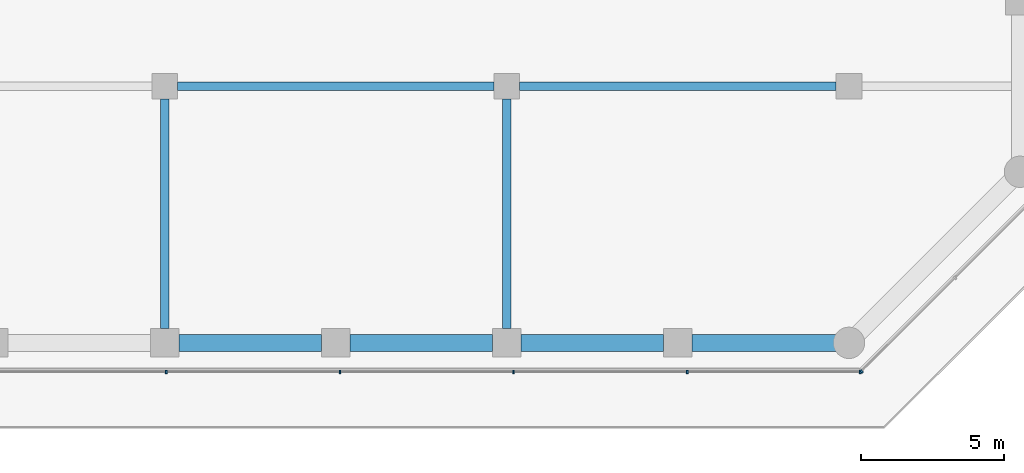
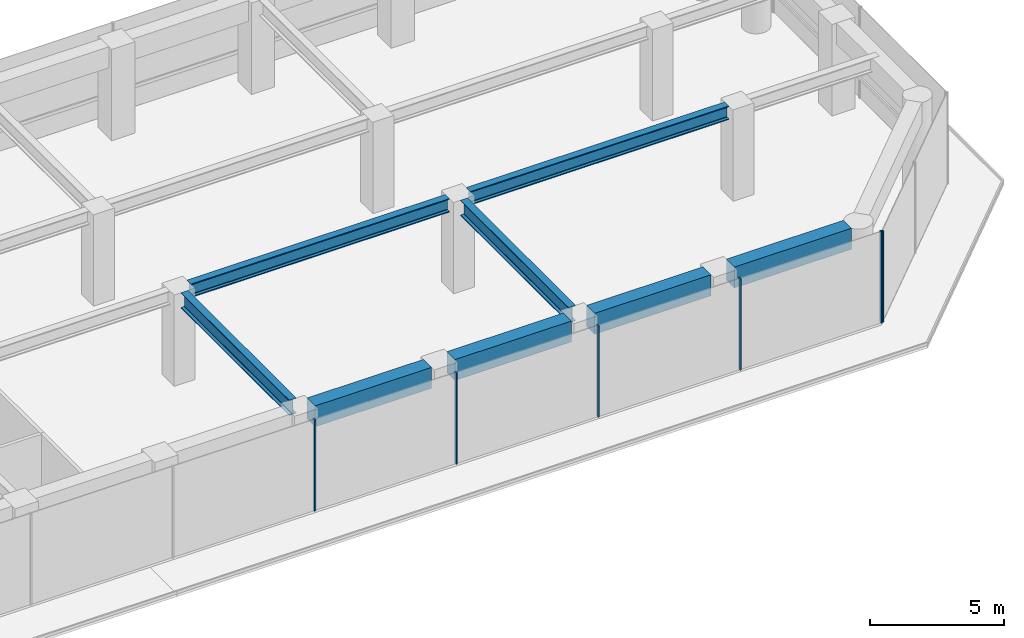
# One storey, part 7 of 24: 8 beams, 6 members, 2 elements without a shape of their own.
"""IFC4 building model written with IfcOpenShell, lengths in metres."""

from ifc_helpers import new_model, si_unit, direction, frame, origin, origin_2d, place, context, subcontext, project, spatial, rectangle, i_section, extrude, material, layer, layer_set, material_profile, profile_set, type_object, element, aggregate, save


model = new_model("IFC4")

# Units and contexts
model_context = context("Model", 3, precision=1e-05, world=origin(), true_north=direction((0.0, 1.0)))
body_context = subcontext(model_context, "Body", "Model", "MODEL_VIEW")
ifc_project = project(units=[si_unit("LENGTHUNIT", "METRE"), si_unit("AREAUNIT", "SQUARE_METRE"), si_unit("VOLUMEUNIT", "CUBIC_METRE"), si_unit("PLANEANGLEUNIT", "RADIAN"), si_unit("MASSUNIT", "GRAM", prefix="KILO")], contexts=[model_context])

# Site, building, storey
site_placement = place(None, origin())
site = spatial("IfcSite", under=ifc_project, at=site_placement, CompositionType="ELEMENT")
building_placement = place(site_placement, origin())
building = spatial("IfcBuilding", under=site, at=building_placement, Name="Welwitschia Terrace Campus", CompositionType="ELEMENT")
storey_placement = place(building_placement, frame((0.0, 0.0, 15.5)))
storey = spatial("IfcBuildingStorey", under=building, at=storey_placement, Name="L03", CompositionType="ELEMENT", Elevation=15.5)

# Beams
ifc_material_1 = material(Name="Steel S355", Category="steel")
ifc_material_profile_1 = material_profile(ifc_material_1, i_section(OverallWidth=0.304931640625, OverallDepth=0.6201171875, WebThickness=0.02099609375, FlangeThickness=0.0400390625, FilletRadius=0.027099609375, at=origin_2d()))
ifc_profile_set_1 = profile_set([ifc_material_profile_1], Name="Steel S355")
beam_type_1 = type_object("IfcBeamType", Name="Interior girder HE 600 M", PredefinedType="BEAM", material=ifc_profile_set_1)
for number, where, z_axis, x_axis, name in (
    (1, (36.450439453125, 5.0, 3.840087890625), (1.0, 0.0, 0.0), (0.0, 1.0, 0.0), "Girder GB1"),
    (2, (48.450439453125, 5.0, 3.840087890625), (1.0, 0.0, 0.0), (0.0, 1.0, 0.0), "Girder GB1"),
):
    element("IfcBeam", number, at=place(storey_placement, frame(where, z_axis=z_axis, x_axis=x_axis)), inside=storey, type_object=beam_type_1, Name=name, PredefinedType="BEAM", context=body_context, shape_type="SweptSolid", body=[
        extrude(i_section(OverallWidth=0.304931640625, OverallDepth=0.6201171875, WebThickness=0.02099609375, FlangeThickness=0.0400390625, FilletRadius=0.027099609375, at=origin_2d()), origin(), (0.0, 0.0, 1.0), 11.09912109375),
    ])

# Curtain wall, members
ifc_material_2 = material(Name="Bronze anodised aluminium", Category="aluminium")
ifc_layer = layer(ifc_material_2, 0.1201171875)
ifc_layer_set = layer_set([ifc_layer], Name="Bronze anodised aluminium")
curtain_wall_type = type_object("IfcCurtainWallType", Name="Curtain wall CW2 tower 6000", PredefinedType="NOTDEFINED", material=ifc_layer_set)
curtain_wall_1_placement = place(storey_placement, origin())
curtain_wall_1 = element("IfcCurtainWall", 3, at=curtain_wall_1_placement, inside=storey, type_object=curtain_wall_type, Name="CW L03.1.0", PredefinedType="NOTDEFINED")
ifc_material_3 = material(Name="Bronze anodised aluminium", Category="aluminium")
ifc_material_profile_2 = material_profile(ifc_material_3, rectangle(XDim=0.1201171875, YDim=0.06005859375, at=origin_2d()))
ifc_profile_set_2 = profile_set([ifc_material_profile_2], Name="Bronze anodised aluminium")
member_type = type_object("IfcMemberType", Name="Mullion 60x120", PredefinedType="MULLION", material=ifc_profile_set_2)
member_1_placement = place(storey_placement, frame((36.046875, -5.02001953125, 0.0), z_axis=(0.0, 0.0, 1.0), x_axis=(0.0, 1.0, 0.0)))
member_1 = element("IfcMember", 4, at=member_1_placement, type_object=member_type, Name="Mullion L03.1.0.5", PredefinedType="MULLION", context=body_context, shape_type="SweptSolid", body=[
    extrude(rectangle(XDim=0.1201171875, YDim=0.06005859375, at=origin_2d()), origin(), (0.0, 0.0, 1.0), 4.14990234375),
])
member_2_placement = place(storey_placement, frame((42.140869140625, -5.02001953125, 0.0), z_axis=(0.0, 0.0, 1.0), x_axis=(0.0, 1.0, 0.0)))
member_2 = element("IfcMember", 5, at=member_2_placement, type_object=member_type, Name="Mullion L03.1.0.6", PredefinedType="MULLION", context=body_context, shape_type="SweptSolid", body=[
    extrude(rectangle(XDim=0.1201171875, YDim=0.06005859375, at=origin_2d()), origin(), (0.0, 0.0, 1.0), 4.14990234375),
])
member_3_placement = place(storey_placement, frame((48.234619140625, -5.02001953125, 0.0), z_axis=(0.0, 0.0, 1.0), x_axis=(0.0, 1.0, 0.0)))
member_3 = element("IfcMember", 6, at=member_3_placement, type_object=member_type, Name="Mullion L03.1.0.7", PredefinedType="MULLION", context=body_context, shape_type="SweptSolid", body=[
    extrude(rectangle(XDim=0.1201171875, YDim=0.06005859375, at=origin_2d()), origin(), (0.0, 0.0, 1.0), 4.14990234375),
])
member_4_placement = place(storey_placement, frame((54.32861328125, -5.02001953125, 0.0), z_axis=(0.0, 0.0, 1.0), x_axis=(0.0, 1.0, 0.0)))
member_4 = element("IfcMember", 7, at=member_4_placement, type_object=member_type, Name="Mullion L03.1.0.8", PredefinedType="MULLION", context=body_context, shape_type="SweptSolid", body=[
    extrude(rectangle(XDim=0.1201171875, YDim=0.06005859375, at=origin_2d()), origin(), (0.0, 0.0, 1.0), 4.14990234375),
])
member_5_placement = place(storey_placement, frame((60.392578125, -5.02001953125, 0.0), z_axis=(0.0, 0.0, 1.0), x_axis=(0.0, 1.0, 0.0)))
member_5 = element("IfcMember", 8, at=member_5_placement, type_object=member_type, Name="Mullion L03.1.0.9", PredefinedType="MULLION", context=body_context, shape_type="SweptSolid", body=[
    extrude(rectangle(XDim=0.1201171875, YDim=0.06005859375, at=origin_2d()), origin(), (0.0, 0.0, 1.0), 4.14990234375),
])
aggregate(curtain_wall_1, [member_1, member_2, member_3, member_4, member_5])

# Curtain wall, member
curtain_wall_2_placement = place(storey_placement, origin())
curtain_wall_2 = element("IfcCurtainWall", 9, at=curtain_wall_2_placement, inside=storey, type_object=curtain_wall_type, Name="CW L03.2.0", PredefinedType="NOTDEFINED")
member_6_placement = place(storey_placement, frame((60.443603515625, -4.998779296875, 0.0), z_axis=(0.0, 0.0, 1.0), x_axis=(-0.707106781187, 0.707106781187, 0.0)))
member_6 = element("IfcMember", 10, at=member_6_placement, type_object=member_type, Name="Mullion L03.2.0.0", PredefinedType="MULLION", context=body_context, shape_type="SweptSolid", body=[
    extrude(rectangle(XDim=0.1201171875, YDim=0.06005859375, at=origin_2d()), origin(), (0.0, 0.0, 1.0), 4.14990234375),
])
aggregate(curtain_wall_2, [member_6])

# Beams
ifc_material_4 = material(Name="Steel S355", Category="steel")
ifc_material_profile_3 = material_profile(ifc_material_4, i_section(OverallWidth=0.300048828125, OverallDepth=0.699951171875, WebThickness=0.01708984375, FlangeThickness=0.031982421875, FilletRadius=0.027099609375, at=origin_2d()))
ifc_profile_set_3 = profile_set([ifc_material_profile_3], Name="Steel S355")
beam_type_2 = type_object("IfcBeamType", Name="Primary beam HE 700 B", PredefinedType="BEAM", material=ifc_profile_set_3)
for number, where, z_axis, x_axis, name in (
    (11, (36.0, -3.49951171875, 3.800048828125), (0.0, 1.0, 0.0), (-1.0, 0.0, 0.0), "Primary beam PB1"),
    (12, (48.0, -3.49951171875, 3.800048828125), (0.0, 1.0, 0.0), (-1.0, 0.0, 0.0), "Primary beam PB1"),
):
    element("IfcBeam", number, at=place(storey_placement, frame(where, z_axis=z_axis, x_axis=x_axis)), inside=storey, type_object=beam_type_2, Name=name, PredefinedType="BEAM", context=body_context, shape_type="SweptSolid", body=[
        extrude(i_section(OverallWidth=0.300048828125, OverallDepth=0.699951171875, WebThickness=0.01708984375, FlangeThickness=0.031982421875, FilletRadius=0.027099609375, at=origin_2d()), origin(), (0.0, 0.0, 1.0), 8.049072265625),
    ])
ifc_material_5 = material(Name="Concrete C60/75", Category="concrete")
ifc_material_profile_4 = material_profile(ifc_material_5, rectangle(XDim=0.60009765625, YDim=0.949951171875, at=origin_2d()))
ifc_profile_set_4 = profile_set([ifc_material_profile_4], Name="Concrete C60/75")
beam_type_3 = type_object("IfcBeamType", Name="Ring spandrel 600x950", PredefinedType="SPANDREL", material=ifc_profile_set_4)
for number, where, z_axis, x_axis, name in (
    (13, (36.50048828125, -4.0, 3.675048828125), (1.0, 0.0, 0.0), (0.0, 1.0, 0.0), "Spandrel SP1"),
    (14, (42.50048828125, -4.0, 3.675048828125), (1.0, 0.0, 0.0), (0.0, 1.0, 0.0), "Spandrel SP1"),
    (15, (48.50048828125, -4.0, 3.675048828125), (1.0, 0.0, 0.0), (0.0, 1.0, 0.0), "Spandrel SP1"),
):
    element("IfcBeam", number, at=place(storey_placement, frame(where, z_axis=z_axis, x_axis=x_axis)), inside=storey, type_object=beam_type_3, Name=name, PredefinedType="SPANDREL", context=body_context, shape_type="SweptSolid", body=[
        extrude(rectangle(XDim=0.60009765625, YDim=0.949951171875, at=origin_2d()), origin(), (0.0, 0.0, 1.0), 4.9990234375),
    ])
beam_placement = place(storey_placement, frame((54.50048828125, -4.0, 3.675048828125), z_axis=(1.0, 0.0, 0.0), x_axis=(0.0, 1.0, 0.0)))
element("IfcBeam", 16, at=beam_placement, inside=storey, type_object=beam_type_3, Name="Spandrel SP1", PredefinedType="SPANDREL", context=body_context, shape_type="SweptSolid", body=[
    extrude(rectangle(XDim=0.60009765625, YDim=0.949951171875, at=origin_2d()), origin(), (0.0, 0.0, 1.0), 5.0380859375),
])

save(model, "model.ifc")
